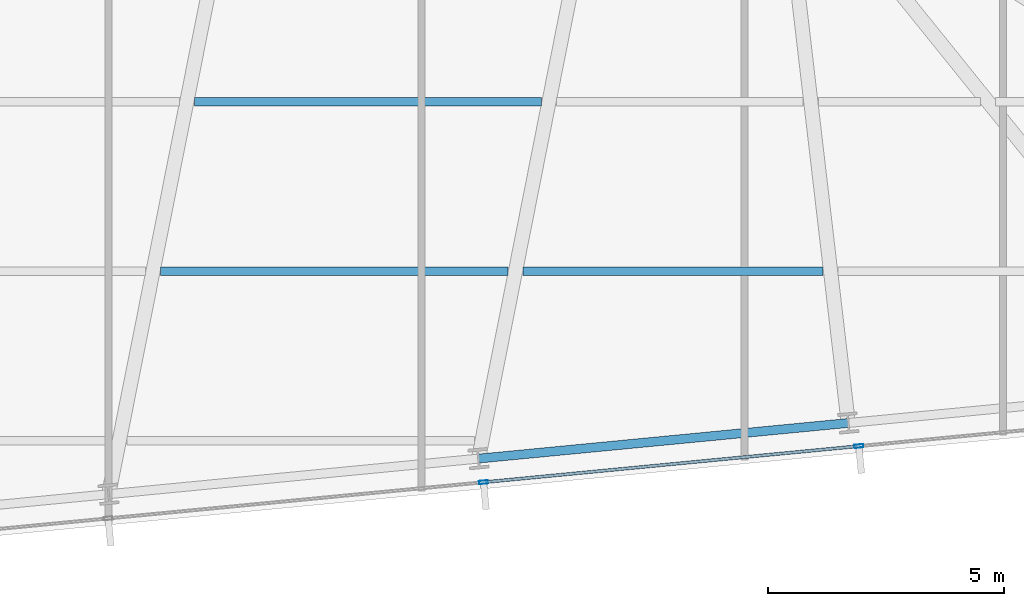
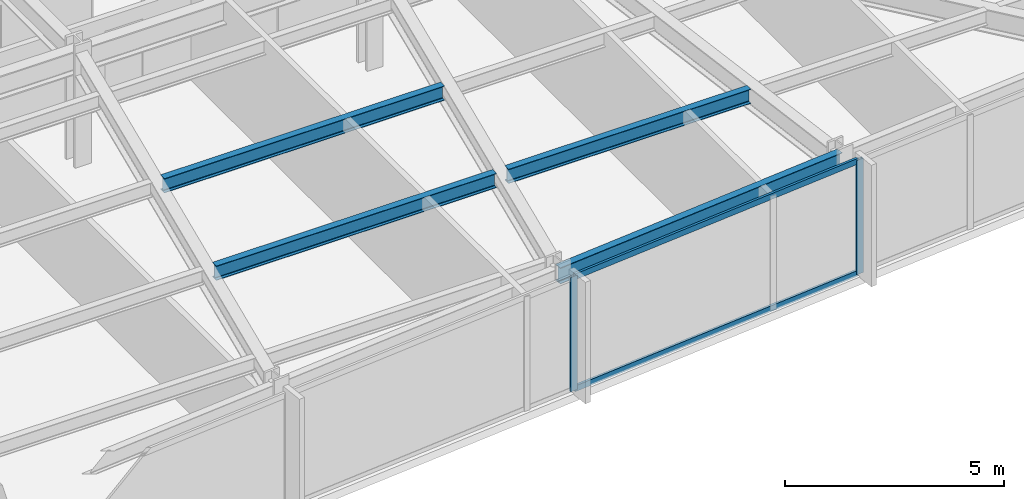
# One storey, part 10 of 33: 4 beams, 4 members, 1 element without a shape of its own.
"""IFC4 building model written with IfcOpenShell, lengths in metres."""

import ifcopenshell
import ifcopenshell.guid

model = None  # the IFC model being written
_history = None  # IfcOwnerHistory: only IFC2X3 demands one
_inside = {}  # id of a spatial element -> (the spatial element, [elements in it])
_under = {}  # id of a project, library or spatial element -> (it, [spatial elements below it])
_declared = {}  # id of a project -> (the project, [libraries it declares])
_typed = {}  # id of a type object -> (the type object, [elements of that type])
_made_of = {}  # id of a material, layer set ... -> (it, [elements and type objects made of it])


def new_model(schema):
    """Start an empty IFC model of exactly this schema.

    Asked for "IFC4X3", IfcOpenShell would pick the latest addendum, in which some entities
    have other attributes; the version numbers below select the first issue.
    IFC2X3 requires an IfcOwnerHistory on every rooted entity: one is made here for all.
    """
    global model, _history
    if schema == "IFC4X3":
        model = ifcopenshell.file(schema_version=(4, 3, 0, 0))
    else:
        model = ifcopenshell.file(schema=schema)
    _inside.clear()
    _under.clear()
    _declared.clear()
    _typed.clear()
    _made_of.clear()
    _history = None
    if model.schema == "IFC2X3":
        org = make("IfcOrganization", Name="unknown")
        user = make(
            "IfcPersonAndOrganization",
            ThePerson=make("IfcPerson", FamilyName="unknown"),
            TheOrganization=org,
        )
        app = make(
            "IfcApplication",
            ApplicationDeveloper=org,
            Version="unknown",
            ApplicationFullName="unknown",
            ApplicationIdentifier="unknown",
        )
        _history = make(
            "IfcOwnerHistory",
            OwningUser=user,
            OwningApplication=app,
            ChangeAction="ADDED",
            CreationDate=0,
        )
    return model


def make(cls, **values):
    """One entity of the class cls with the attributes given. An attribute that is None is left unset."""
    return model.create_entity(
        cls, **{name: value for name, value in values.items() if value is not None}
    )


def rooted(cls, **values):
    """An entity with a GlobalId (a new one), such as an element, a storey or a relation."""
    return make(cls, GlobalId=ifcopenshell.guid.new(), OwnerHistory=_history, **values)


def si_unit(unit_type, name, prefix=None):
    """IfcSIUnit, for example si_unit("LENGTHUNIT", "METRE", prefix="MILLI")."""
    return make("IfcSIUnit", UnitType=unit_type, Prefix=prefix, Name=name)


def assignment(units):
    """IfcUnitAssignment: the units of a project."""
    return None if units is None else make("IfcUnitAssignment", Units=units)


def point(xyz):
    """IfcCartesianPoint."""
    return None if xyz is None else make("IfcCartesianPoint", Coordinates=xyz)


def direction(xyz):
    """IfcDirection."""
    return None if xyz is None else make("IfcDirection", DirectionRatios=xyz)


def frame(location, z_axis=None, x_axis=None):
    """IfcAxis2Placement3D, a coordinate frame: its origin and axes. An axis left out is left unset."""
    return make(
        "IfcAxis2Placement3D",
        Location=point(location),
        Axis=direction(z_axis),
        RefDirection=direction(x_axis),
    )


def frame_2d(location, x_axis=None):
    """IfcAxis2Placement2D, a coordinate frame in the plane: its origin and x axis."""
    return make(
        "IfcAxis2Placement2D", Location=point(location), RefDirection=direction(x_axis)
    )


def origin():
    """The frame at (0, 0, 0) with its axes left unset."""
    return frame((0.0, 0.0, 0.0))


def origin_2d():
    """The frame at (0, 0) in the plane with its x axis left unset."""
    return frame_2d((0.0, 0.0))


def place(relative_to, where):
    """IfcLocalPlacement: puts the frame where relative to a parent placement (None: the world)."""
    return make(
        "IfcLocalPlacement", PlacementRelTo=relative_to, RelativePlacement=where
    )


def context(
    kind, dimensions, precision=None, world=None, true_north=None, identifier=None
):
    """IfcGeometricRepresentationContext, for example the 3D "Model" context."""
    return make(
        "IfcGeometricRepresentationContext",
        ContextIdentifier=identifier,
        ContextType=kind,
        CoordinateSpaceDimension=dimensions,
        Precision=precision,
        WorldCoordinateSystem=world,
        TrueNorth=true_north,
    )


def subcontext(parent, identifier, kind, view, scale=None):
    """IfcGeometricRepresentationSubContext, for example "Body" below "Model"."""
    return make(
        "IfcGeometricRepresentationSubContext",
        ContextIdentifier=identifier,
        ContextType=kind,
        ParentContext=parent,
        TargetScale=scale,
        TargetView=view,
    )


def project(units=None, contexts=None):
    """IfcProject with its units and contexts."""
    return rooted(
        "IfcProject",
        Name="project",
        RepresentationContexts=contexts,
        UnitsInContext=assignment(units),
    )


def spatial(cls, under=None, at=None, **own):
    """A site, building, storey or space (cls), placed at a placement, below another one or the project."""
    s = rooted(cls, ObjectPlacement=at, **own)
    if under is not None:
        _under.setdefault(under.id(), (under, []))[1].append(s)
    return s


def profile(cls, at=None, kind="AREA", **sizes):
    """A parametric profile (cls). Its sizes go by their IFC names, for example OverallWidth=200.0."""
    return make(cls, ProfileType=kind, Position=at, **sizes)


def hollow_rectangle(**sizes):
    """IfcRectangleHollowProfileDef."""
    return profile("IfcRectangleHollowProfileDef", **sizes)


def i_section(**sizes):
    """IfcIShapeProfileDef."""
    return profile("IfcIShapeProfileDef", **sizes)


def extrude(swept, where, along, depth):
    """IfcExtrudedAreaSolid: the profile swept, set in the frame where, extruded along a direction by depth."""
    return make(
        "IfcExtrudedAreaSolid",
        SweptArea=swept,
        Position=where,
        ExtrudedDirection=direction(along),
        Depth=depth,
    )


def shape(context_of_items, identifier, shape_type, items):
    """IfcShapeRepresentation: the items that make up one representation, for example the "Body"."""
    return make(
        "IfcShapeRepresentation",
        ContextOfItems=context_of_items,
        RepresentationIdentifier=identifier,
        RepresentationType=shape_type,
        Items=items,
    )


def material(Name=None, Category=None):
    """IfcMaterial."""
    return make("IfcMaterial", Name=Name, Category=Category)


def material_profile(
    of_material, cross_section, Name=None, Category=None, Priority=None
):
    """IfcMaterialProfile: a cross section and its material."""
    return make(
        "IfcMaterialProfile",
        Name=Name,
        Material=of_material,
        Profile=cross_section,
        Priority=Priority,
        Category=Category,
    )


def profile_set(profiles, Name=None, composite=None):
    """IfcMaterialProfileSet."""
    return make(
        "IfcMaterialProfileSet",
        Name=Name,
        MaterialProfiles=profiles,
        CompositeProfile=composite,
    )


def made_of(thing, what):
    """Note that an element or type object is made of a material, layer set ...; save() writes the relation."""
    if what is not None:
        _made_of.setdefault(what.id(), (what, []))[1].append(thing)
    return thing


def type_object(cls, material=None, **own):
    """A type object (cls), such as IfcWallType, which elements share."""
    return made_of(rooted(cls, **own), material)


def element(
    cls,
    number,
    at=None,
    inside=None,
    cuts=None,
    type_object=None,
    material=None,
    context=None,
    identifier="Body",
    shape_type=None,
    held_by="IfcProductDefinitionShape",
    body=None,
    shapes=None,
    **own,
):
    """One element of the class cls, such as IfcWall. Its Tag is "e" and its number.

    at: its placement. inside: the storey or other place that contains it. cuts: it is an
    opening in that element (IfcRelVoidsElement). A single representation is given by context,
    identifier, shape_type and body (its items); several are given by shapes. held_by: the class
    of the entity that holds the representations. save() writes the other relations.
    """
    e = rooted(cls, Tag="e%d" % number, ObjectPlacement=at, **own)
    if body is not None:
        shapes = [shape(context, identifier, shape_type, body)]
    if shapes is not None:
        e.Representation = make(held_by, Representations=shapes)
    if inside is not None:
        _inside.setdefault(inside.id(), (inside, []))[1].append(e)
    if cuts is not None:
        rooted(
            "IfcRelVoidsElement", RelatingBuildingElement=cuts, RelatedOpeningElement=e
        )
    if type_object is not None:
        _typed.setdefault(type_object.id(), (type_object, []))[1].append(e)
    return made_of(e, material)


def aggregate(whole, parts):
    """IfcRelAggregates: a whole, such as a stair, and the parts it consists of."""
    return rooted("IfcRelAggregates", RelatingObject=whole, RelatedObjects=parts)


def save(model, path):
    """Write the relations noted so far, then the file.

    IfcRelAggregates (storeys below a building ...), IfcRelContainedInSpatialStructure (elements
    in a storey), IfcRelDefinesByType, IfcRelAssociatesMaterial and IfcRelDeclares: one each for
    every whole, place, type object, material and project.
    """
    for whole, parts in _under.values():
        aggregate(whole, parts)
    for where, things in _inside.values():
        rooted(
            "IfcRelContainedInSpatialStructure",
            RelatedElements=things,
            RelatingStructure=where,
        )
    for kind, things in _typed.values():
        rooted("IfcRelDefinesByType", RelatedObjects=things, RelatingType=kind)
    for what, things in _made_of.values():
        rooted("IfcRelAssociatesMaterial", RelatedObjects=things, RelatingMaterial=what)
    for by, libraries in _declared.values():
        rooted("IfcRelDeclares", RelatingContext=by, RelatedDefinitions=libraries)
    model.write(path)


model = new_model("IFC4")

# Units and contexts
model_context = context("Model", 3, precision=1e-05, world=origin(), true_north=direction((0.0, 1.0)))
body_context = subcontext(model_context, "Body", "Model", "MODEL_VIEW")
ifc_project = project(units=[si_unit("LENGTHUNIT", "METRE"), si_unit("AREAUNIT", "SQUARE_METRE"), si_unit("VOLUMEUNIT", "CUBIC_METRE"), si_unit("PLANEANGLEUNIT", "RADIAN"), si_unit("MASSUNIT", "GRAM", prefix="KILO")], contexts=[model_context])

# Site, building, storey
site_placement = place(None, origin())
site = spatial("IfcSite", under=ifc_project, at=site_placement, CompositionType="ELEMENT")
building_placement = place(site_placement, origin())
building = spatial("IfcBuilding", under=site, at=building_placement, Name="Yelkora Congress Tower", CompositionType="ELEMENT")
storey_placement = place(building_placement, frame((0.0, 0.0, 110.10009765625)))
storey = spatial("IfcBuildingStorey", under=building, at=storey_placement, Name="L29", CompositionType="ELEMENT", Elevation=110.10009765625)

# Beams
ifc_material_1 = material(Name="Steel S355J2", Category="steel")
ifc_material_profile_1 = material_profile(ifc_material_1, i_section(OverallWidth=0.179931640625, OverallDepth=0.39990234375, WebThickness=0.008544921875, FlangeThickness=0.013427734375, FilletRadius=0.02099609375, at=origin_2d()), Name="IPE 400")
ifc_profile_set_1 = profile_set([ifc_material_profile_1], Name="Steel S355J2")
beam_type_1 = type_object("IfcBeamType", Name="BM-JOIST-IPE400", PredefinedType="JOIST", material=ifc_profile_set_1)
beam_1_placement = place(storey_placement, frame((44.436767578125, 16.144287109375, 2.97998046875), z_axis=(1.0, 0.0, 0.0), x_axis=(0.0, 1.0, 0.0)))
element("IfcBeam", 1, at=beam_1_placement, inside=storey, type_object=beam_type_1, Name="L29 Composite Floor Joist 7", PredefinedType="JOIST", context=body_context, shape_type="SweptSolid", body=[
    extrude(i_section(OverallWidth=0.179931640625, OverallDepth=0.39990234375, WebThickness=0.008544921875, FlangeThickness=0.013427734375, FilletRadius=0.02099609375, at=origin_2d()), origin(), (0.0, 0.0, 1.0), 7.373046875),
])
beam_2_placement = place(storey_placement, frame((52.1298828125, 16.144287109375, 2.97998046875), z_axis=(1.0, 0.0, 0.0), x_axis=(0.0, 1.0, 0.0)))
element("IfcBeam", 2, at=beam_2_placement, inside=storey, type_object=beam_type_1, Name="L29 Composite Floor Joist 8", PredefinedType="JOIST", context=body_context, shape_type="SweptSolid", body=[
    extrude(i_section(OverallWidth=0.179931640625, OverallDepth=0.39990234375, WebThickness=0.008544921875, FlangeThickness=0.013427734375, FilletRadius=0.02099609375, at=origin_2d()), origin(), (0.0, 0.0, 1.0), 6.3671875),
])
beam_3_placement = place(storey_placement, frame((45.153564453125, 19.744384765625, 2.97998046875), z_axis=(1.0, 0.0, 0.0), x_axis=(0.0, 1.0, 0.0)))
element("IfcBeam", 3, at=beam_3_placement, inside=storey, type_object=beam_type_1, Name="L29 Composite Floor Joist 14", PredefinedType="JOIST", context=body_context, shape_type="SweptSolid", body=[
    extrude(i_section(OverallWidth=0.179931640625, OverallDepth=0.39990234375, WebThickness=0.008544921875, FlangeThickness=0.013427734375, FilletRadius=0.02099609375, at=origin_2d()), origin(), (0.0, 0.0, 1.0), 7.367919921875),
])
ifc_material_profile_2 = material_profile(ifc_material_1, i_section(OverallWidth=0.18994140625, OverallDepth=0.449951171875, WebThickness=0.009521484375, FlangeThickness=0.0146484375, FilletRadius=0.02099609375, at=origin_2d()), Name="IPE 450")
ifc_profile_set_2 = profile_set([ifc_material_profile_2], Name="Steel S355J2")
beam_type_2 = type_object("IfcBeamType", Name="BM-SPAN-IPE450", PredefinedType="SPANDREL", material=ifc_profile_set_2)
beam_4_placement = place(storey_placement, frame((51.18359375, 12.16748046875, 2.954833984375), z_axis=(0.995395860104, 0.095849265454, 0.0), x_axis=(-0.095849265454, 0.995395860104, 0.0)))
element("IfcBeam", 4, at=beam_4_placement, inside=storey, type_object=beam_type_2, Name="L29 Perimeter Beam 7", PredefinedType="SPANDREL", context=body_context, shape_type="SweptSolid", body=[
    extrude(i_section(OverallWidth=0.18994140625, OverallDepth=0.449951171875, WebThickness=0.009521484375, FlangeThickness=0.0146484375, FilletRadius=0.02099609375, at=origin_2d()), origin(), (0.0, 0.0, 1.0), 7.885986328125),
])

# Curtain wall, members
ifc_material_2 = material(Name="Anodised aluminium and insulated glass", Category="aluminium")
curtain_wall_type = type_object("IfcCurtainWallType", Name="CW-SYS-B2", PredefinedType="NOTDEFINED", material=ifc_material_2)
curtain_wall_placement = place(storey_placement, origin())
curtain_wall = element("IfcCurtainWall", 5, at=curtain_wall_placement, inside=storey, type_object=curtain_wall_type, Name="L29 Unitised Curtain Wall 20", PredefinedType="NOTDEFINED")
ifc_material_3 = material(Name="Anodised aluminium 6063-T6", Category="aluminium")
ifc_material_profile_3 = material_profile(ifc_material_3, hollow_rectangle(XDim=0.070068359375, YDim=0.18994140625, WallThickness=0.00390625, at=origin_2d()), Name="ALU 70x190x4")
ifc_profile_set_3 = profile_set([ifc_material_profile_3], Name="Anodised aluminium 6063-T6")
member_type_1 = type_object("IfcMemberType", Name="MEM-ML-B2", PredefinedType="MULLION", material=ifc_profile_set_3)
member_1_placement = place(storey_placement, frame((59.2568359375, 12.4326171875, 0.0), z_axis=(0.0, 0.0, 1.0), x_axis=(0.095844345816, -0.995396333816, 0.0)))
member_1 = element("IfcMember", 6, at=member_1_placement, type_object=member_type_1, Name="CW-B2 mullion 3", PredefinedType="MULLION", context=body_context, shape_type="SweptSolid", body=[
    extrude(hollow_rectangle(XDim=0.070068359375, YDim=0.18994140625, WallThickness=0.00390625, at=origin_2d()), origin(), (0.0, 0.0, 1.0), 3.179931640625),
])
member_2_placement = place(storey_placement, frame((51.290771484375, 11.66552734375, 0.0), z_axis=(0.0, 0.0, 1.0), x_axis=(0.095844345816, -0.995396333816, 0.0)))
member_2 = element("IfcMember", 7, at=member_2_placement, type_object=member_type_1, Name="CW-B2 mullion 4", PredefinedType="MULLION", context=body_context, shape_type="SweptSolid", body=[
    extrude(hollow_rectangle(XDim=0.070068359375, YDim=0.18994140625, WallThickness=0.00390625, at=origin_2d()), origin(), (0.0, 0.0, 1.0), 3.179931640625),
])
ifc_material_profile_4 = material_profile(ifc_material_3, hollow_rectangle(XDim=0.06494140625, YDim=0.159912109375, WallThickness=0.00390625, at=origin_2d()), Name="ALU 65x160x4")
ifc_profile_set_4 = profile_set([ifc_material_profile_4], Name="Anodised aluminium 6063-T6")
member_type_2 = type_object("IfcMemberType", Name="MEM-TR-B2", PredefinedType="USERDEFINED", material=ifc_profile_set_4)
member_3_placement = place(storey_placement, frame((59.221923828125, 12.42919921875, 0.032470703125), z_axis=(-0.995397010735, -0.095837315383, 0.0), x_axis=(0.095837315383, -0.995397010735, 0.0)))
member_3 = element("IfcMember", 8, at=member_3_placement, type_object=member_type_2, Name="CW-B2 transom 3.1", ObjectType="TRANSOM", PredefinedType="USERDEFINED", context=body_context, shape_type="SweptSolid", body=[
    extrude(hollow_rectangle(XDim=0.06494140625, YDim=0.159912109375, WallThickness=0.00390625, at=origin_2d()), origin(), (0.0, 0.0, 1.0), 7.932861328125),
])
member_4_placement = place(storey_placement, frame((59.221923828125, 12.42919921875, 3.1474609375), z_axis=(-0.995397010735, -0.095837315383, 0.0), x_axis=(0.095837315383, -0.995397010735, 0.0)))
member_4 = element("IfcMember", 9, at=member_4_placement, type_object=member_type_2, Name="CW-B2 transom 3.2", ObjectType="TRANSOM", PredefinedType="USERDEFINED", context=body_context, shape_type="SweptSolid", body=[
    extrude(hollow_rectangle(XDim=0.06494140625, YDim=0.159912109375, WallThickness=0.00390625, at=origin_2d()), origin(), (0.0, 0.0, 1.0), 7.932861328125),
])
aggregate(curtain_wall, [member_1, member_2, member_3, member_4])

save(model, "model.ifc")
